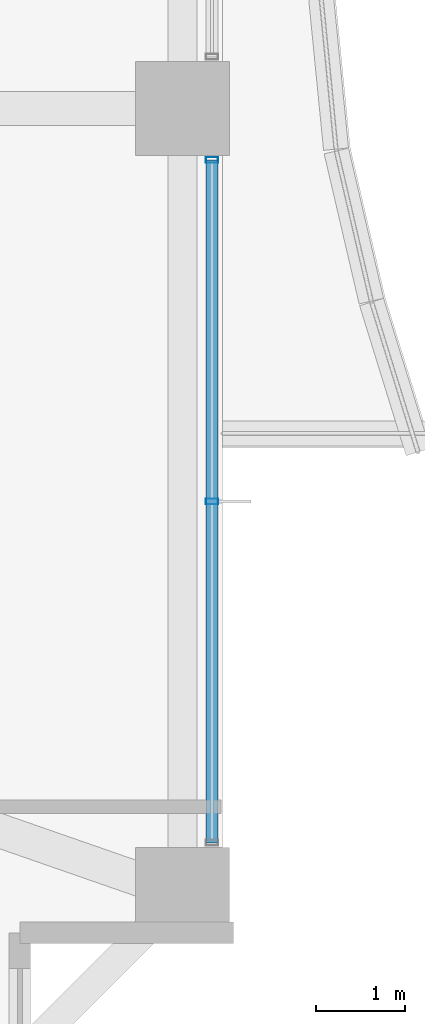
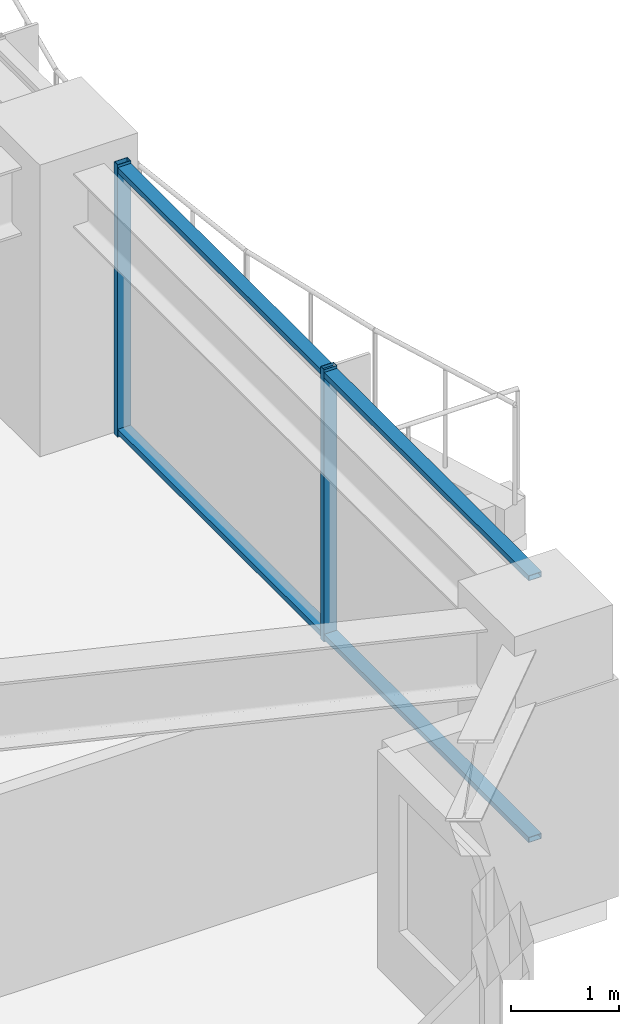
# One storey, part 15 of 36: 4 members, 1 element without a shape of its own.
"""IFC4 building model written with IfcOpenShell, lengths in metres."""

from ifc_helpers import new_model, si_unit, direction, frame, origin, origin_2d, place, context, subcontext, project, spatial, hollow_rectangle, extrude, material, material_profile, profile_set, type_object, element, aggregate, save


model = new_model("IFC4")

# Units and contexts
model_context = context("Model", 3, precision=1e-05, world=origin(), true_north=direction((0.0, 1.0)))
body_context = subcontext(model_context, "Body", "Model", "MODEL_VIEW")
ifc_project = project(units=[si_unit("LENGTHUNIT", "METRE"), si_unit("AREAUNIT", "SQUARE_METRE"), si_unit("VOLUMEUNIT", "CUBIC_METRE"), si_unit("PLANEANGLEUNIT", "RADIAN"), si_unit("MASSUNIT", "GRAM", prefix="KILO")], contexts=[model_context])

# Site, building, storey
site_placement = place(None, origin())
site = spatial("IfcSite", under=ifc_project, at=site_placement, CompositionType="ELEMENT")
building_placement = place(site_placement, origin())
building = spatial("IfcBuilding", under=site, at=building_placement, Name="Kolvaren Belvedere", CompositionType="ELEMENT")
storey_placement = place(building_placement, frame((0.0, 0.0, 95.300048828125)))
storey = spatial("IfcBuildingStorey", under=building, at=storey_placement, Name="L27", CompositionType="ELEMENT", Elevation=95.300048828125)

# Curtain wall, members
ifc_material_1 = material(Name="Anodised pale-metal aluminium AA 6063-T6", Category="aluminium")
curtain_wall_type = type_object("IfcCurtainWallType", Name="CW-Z2-MID", PredefinedType="NOTDEFINED", material=ifc_material_1)
curtain_wall_placement = place(storey_placement, origin())
curtain_wall = element("IfcCurtainWall", 1, at=curtain_wall_placement, inside=storey, type_object=curtain_wall_type, Name="L27 Unitised Curtain Wall FCW-L27-E2-B2", PredefinedType="NOTDEFINED")
ifc_material_2 = material(Name="Anodised pale-metal aluminium AA 6063-T6", Category="aluminium")
ifc_material_profile_1 = material_profile(ifc_material_2, hollow_rectangle(XDim=0.06494140625, YDim=0.139892578125, WallThickness=0.00390625, at=origin_2d()), Name="ALU-MUL-140X65")
ifc_profile_set_1 = profile_set([ifc_material_profile_1], Name="Anodised pale-metal aluminium AA 6063-T6")
member_type_1 = type_object("IfcMemberType", Name="CW-MUL-140", PredefinedType="MULLION", material=ifc_profile_set_1)
member_1_placement = place(storey_placement, frame((20.280029296875, -5.177490234375, 0.0), z_axis=(0.0, 0.0, 1.0), x_axis=(0.0, 1.0, 0.0)))
member_1 = element("IfcMember", 2, at=member_1_placement, type_object=member_type_1, Name="FCW-L27-E2-B2 Unitised Mullion 1", PredefinedType="MULLION", context=body_context, shape_type="SweptSolid", body=[
    extrude(hollow_rectangle(XDim=0.06494140625, YDim=0.139892578125, WallThickness=0.00390625, at=origin_2d()), origin(), (0.0, 0.0, 1.0), 3.079833984375),
])
member_2_placement = place(storey_placement, frame((20.280029296875, -9.0, 0.0), z_axis=(0.0, 0.0, 1.0), x_axis=(0.0, 1.0, 0.0)))
member_2 = element("IfcMember", 3, at=member_2_placement, type_object=member_type_1, Name="FCW-L27-E2-B2 Unitised Mullion 2", PredefinedType="MULLION", context=body_context, shape_type="SweptSolid", body=[
    extrude(hollow_rectangle(XDim=0.06494140625, YDim=0.139892578125, WallThickness=0.00390625, at=origin_2d()), origin(), (0.0, 0.0, 1.0), 3.079833984375),
])
ifc_material_3 = material(Name="Anodised pale-metal aluminium AA 6063-T6", Category="aluminium")
ifc_material_profile_2 = material_profile(ifc_material_3, hollow_rectangle(XDim=0.06005859375, YDim=0.139892578125, WallThickness=0.00390625, at=origin_2d()), Name="ALU-TRN-140X60")
ifc_profile_set_2 = profile_set([ifc_material_profile_2], Name="Anodised pale-metal aluminium AA 6063-T6")
member_type_2 = type_object("IfcMemberType", Name="CW-TRN-140", PredefinedType="USERDEFINED", material=ifc_profile_set_2)
member_3_placement = place(storey_placement, frame((20.280029296875, -5.177490234375, 0.06005859375), z_axis=(0.0, -1.0, 0.0), x_axis=(0.0, 0.0, 1.0)))
member_3 = element("IfcMember", 4, at=member_3_placement, type_object=member_type_2, Name="FCW-L27-E2-B2 Sill Transom", ObjectType="TRANSOM", PredefinedType="USERDEFINED", context=body_context, shape_type="SweptSolid", body=[
    extrude(hollow_rectangle(XDim=0.06005859375, YDim=0.139892578125, WallThickness=0.00390625, at=origin_2d()), origin(), (0.0, 0.0, 1.0), 7.64501953125),
])
member_4_placement = place(storey_placement, frame((20.280029296875, -5.177490234375, 3.02001953125), z_axis=(0.0, -1.0, 0.0), x_axis=(0.0, 0.0, 1.0)))
member_4 = element("IfcMember", 5, at=member_4_placement, type_object=member_type_2, Name="FCW-L27-E2-B2 Head Transom", ObjectType="TRANSOM", PredefinedType="USERDEFINED", context=body_context, shape_type="SweptSolid", body=[
    extrude(hollow_rectangle(XDim=0.06005859375, YDim=0.139892578125, WallThickness=0.00390625, at=origin_2d()), origin(), (0.0, 0.0, 1.0), 7.64501953125),
])
aggregate(curtain_wall, [member_1, member_2, member_3, member_4])

save(model, "model.ifc")
